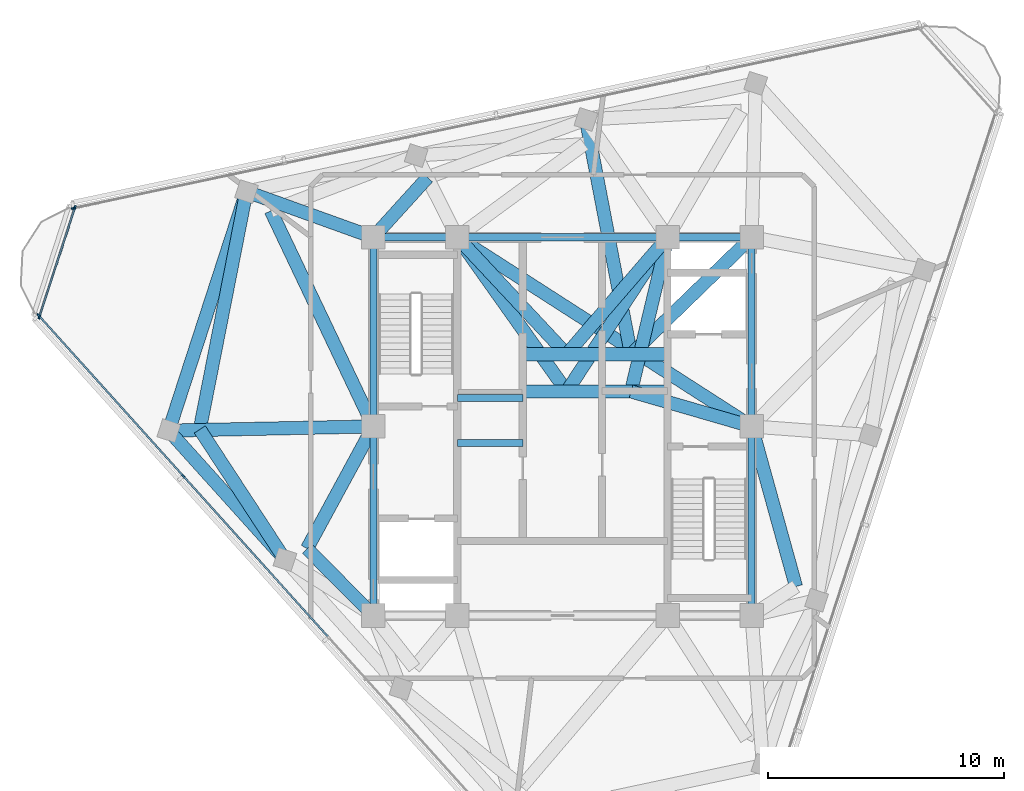
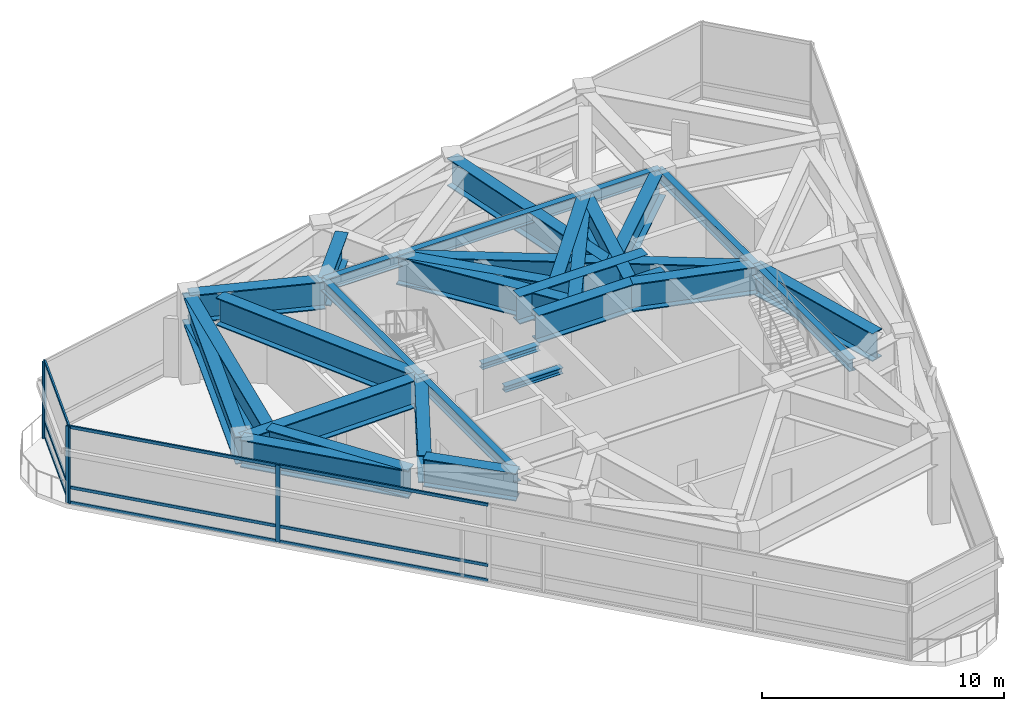
# One storey, part 3 of 10: 31 beams, 14 members, 3 elements without a shape of their own.
"""IFC4 building model written with IfcOpenShell, lengths in metres."""

from ifc_helpers import new_model, si_unit, direction, frame, origin, origin_2d, place, context, subcontext, project, spatial, rectangle, i_section, extrude, material, layer, layer_set, material_profile, profile_set, type_object, element, aggregate, save


model = new_model("IFC4")

# Units and contexts
model_context = context("Model", 3, precision=1e-05, world=origin(), true_north=direction((0.0, 1.0)))
body_context = subcontext(model_context, "Body", "Model", "MODEL_VIEW")
ifc_project = project(units=[si_unit("LENGTHUNIT", "METRE"), si_unit("AREAUNIT", "SQUARE_METRE"), si_unit("VOLUMEUNIT", "CUBIC_METRE"), si_unit("PLANEANGLEUNIT", "RADIAN"), si_unit("MASSUNIT", "GRAM", prefix="KILO")], contexts=[model_context])

# Site, building, storey
site_placement = place(None, origin())
site = spatial("IfcSite", under=ifc_project, at=site_placement, CompositionType="ELEMENT")
building_placement = place(site_placement, origin())
building = spatial("IfcBuilding", under=site, at=building_placement, Name="Terralouvre Media Tower", CompositionType="ELEMENT")
storey_placement = place(building_placement, frame((0.0, 0.0, 317.39990234375)))
storey = spatial("IfcBuildingStorey", under=building, at=storey_placement, Name="L82", CompositionType="ELEMENT", Elevation=317.39990234375)

# Curtain wall, members
ifc_material_1 = material(Name="Low-iron laminated double glazing with solar-control coating", Category="glass")
ifc_layer_1 = layer(ifc_material_1, 0.1650390625, Name="Faceted Glass-Point Crown Curtain Wall CW-06")
ifc_layer_set_1 = layer_set([ifc_layer_1], Name="Low-iron laminated double glazing with solar-control coating")
curtain_wall_type_1 = type_object("IfcCurtainWallType", Name="Faceted Glass-Point Crown Curtain Wall CW-06", PredefinedType="NOTDEFINED", material=ifc_layer_set_1)
curtain_wall_1_placement = place(storey_placement, origin())
curtain_wall_1 = element("IfcCurtainWall", 1, at=curtain_wall_1_placement, inside=storey, type_object=curtain_wall_type_1, Name="L82 Facade Curtain Wall F2", PredefinedType="NOTDEFINED")
ifc_material_2 = material(Name="Anodised extruded aluminium 6063-T6", Category="aluminium")
ifc_material_profile_1 = material_profile(ifc_material_2, rectangle(XDim=0.074951171875, YDim=0.14990234375, at=origin_2d()), Name="ALU 75x150")
ifc_profile_set_1 = profile_set([ifc_material_profile_1], Name="Anodised extruded aluminium 6063-T6")
member_type_1 = type_object("IfcMemberType", Name="Curtain-Wall Horizontal Transom TR-150", PredefinedType="USERDEFINED", material=ifc_profile_set_1)
member_1_placement = place(storey_placement, frame((-22.13037109375, 4.665283203125, 0.03759765625), z_axis=(0.669122483598, -0.743152139163, 0.0), x_axis=(0.743152139163, 0.669122483598, 0.0)))
member_1 = element("IfcMember", 2, at=member_1_placement, type_object=member_type_1, Name="CW-06 transom 1.1", ObjectType="TRANSOM", PredefinedType="USERDEFINED", context=body_context, shape_type="SweptSolid", body=[
    extrude(rectangle(XDim=0.074951171875, YDim=0.14990234375, at=origin_2d()), origin(), (0.0, 0.0, 1.0), 9.0625),
])
member_2_placement = place(storey_placement, frame((-22.13037109375, 4.665283203125, 0.800048828125), z_axis=(0.669122483598, -0.743152139163, 0.0), x_axis=(0.743152139163, 0.669122483598, 0.0)))
member_2 = element("IfcMember", 3, at=member_2_placement, type_object=member_type_1, Name="CW-06 transom 1.2", ObjectType="TRANSOM", PredefinedType="USERDEFINED", context=body_context, shape_type="SweptSolid", body=[
    extrude(rectangle(XDim=0.074951171875, YDim=0.14990234375, at=origin_2d()), origin(), (0.0, 0.0, 1.0), 9.0625),
])
member_3_placement = place(storey_placement, frame((-22.13037109375, 4.665283203125, 3.842529296875), z_axis=(0.669122483598, -0.743152139163, 0.0), x_axis=(0.743152139163, 0.669122483598, 0.0)))
member_3 = element("IfcMember", 4, at=member_3_placement, type_object=member_type_1, Name="CW-06 transom 1.3", ObjectType="TRANSOM", PredefinedType="USERDEFINED", context=body_context, shape_type="SweptSolid", body=[
    extrude(rectangle(XDim=0.074951171875, YDim=0.14990234375, at=origin_2d()), origin(), (0.0, 0.0, 1.0), 9.0625),
])
member_4_placement = place(storey_placement, frame((-16.01611328125, -2.125244140625, 0.03759765625), z_axis=(0.669127761208, -0.743147387253, 0.0), x_axis=(0.743147387253, 0.669127761208, 0.0)))
member_4 = element("IfcMember", 5, at=member_4_placement, type_object=member_type_1, Name="CW-06 transom 2.1", ObjectType="TRANSOM", PredefinedType="USERDEFINED", context=body_context, shape_type="SweptSolid", body=[
    extrude(rectangle(XDim=0.074951171875, YDim=0.14990234375, at=origin_2d()), origin(), (0.0, 0.0, 1.0), 9.10009765625),
])
member_5_placement = place(storey_placement, frame((-16.01611328125, -2.125244140625, 0.800048828125), z_axis=(0.669127761208, -0.743147387253, 0.0), x_axis=(0.743147387253, 0.669127761208, 0.0)))
member_5 = element("IfcMember", 6, at=member_5_placement, type_object=member_type_1, Name="CW-06 transom 2.2", ObjectType="TRANSOM", PredefinedType="USERDEFINED", context=body_context, shape_type="SweptSolid", body=[
    extrude(rectangle(XDim=0.074951171875, YDim=0.14990234375, at=origin_2d()), origin(), (0.0, 0.0, 1.0), 9.10009765625),
])
member_6_placement = place(storey_placement, frame((-16.01611328125, -2.125244140625, 3.842529296875), z_axis=(0.669127761208, -0.743147387253, 0.0), x_axis=(0.743147387253, 0.669127761208, 0.0)))
member_6 = element("IfcMember", 7, at=member_6_placement, type_object=member_type_1, Name="CW-06 transom 2.3", ObjectType="TRANSOM", PredefinedType="USERDEFINED", context=body_context, shape_type="SweptSolid", body=[
    extrude(rectangle(XDim=0.074951171875, YDim=0.14990234375, at=origin_2d()), origin(), (0.0, 0.0, 1.0), 9.10009765625),
])

ifc_material_3 = material(Name="Low-iron laminated double glazing with solar-control coating", Category="glass")
ifc_layer_2 = layer(ifc_material_3, 0.1650390625, Name="Rounded Wind-Corner Curved Glazing CW-04")
ifc_layer_set_2 = layer_set([ifc_layer_2], Name="Low-iron laminated double glazing with solar-control coating")
curtain_wall_type_2 = type_object("IfcCurtainWallType", Name="Rounded Wind-Corner Curved Glazing CW-04", PredefinedType="NOTDEFINED", material=ifc_layer_set_2)
curtain_wall_2_placement = place(storey_placement, origin())
curtain_wall_2 = element("IfcCurtainWall", 8, at=curtain_wall_2_placement, inside=storey, type_object=curtain_wall_type_2, Name="L82 Rounded Wind-Corner Curtain Wall C2", PredefinedType="NOTDEFINED")
member_7_placement = place(storey_placement, frame((-20.63427734375, 9.220703125, 0.03759765625), z_axis=(-0.309011100891, -0.951058431184, 0.0), x_axis=(0.951058431184, -0.309011100891, 0.0)))
member_7 = element("IfcMember", 9, at=member_7_placement, type_object=member_type_1, Name="CW-04 transom 1.1", ObjectType="TRANSOM", PredefinedType="USERDEFINED", context=body_context, shape_type="SweptSolid", body=[
    extrude(rectangle(XDim=0.074951171875, YDim=0.14990234375, at=origin_2d()), origin(), (0.0, 0.0, 1.0), 4.7861328125),
])
member_8_placement = place(storey_placement, frame((-20.63427734375, 9.220703125, 0.800048828125), z_axis=(-0.309011100891, -0.951058431184, 0.0), x_axis=(0.951058431184, -0.309011100891, 0.0)))
member_8 = element("IfcMember", 10, at=member_8_placement, type_object=member_type_1, Name="CW-04 transom 1.2", ObjectType="TRANSOM", PredefinedType="USERDEFINED", context=body_context, shape_type="SweptSolid", body=[
    extrude(rectangle(XDim=0.074951171875, YDim=0.14990234375, at=origin_2d()), origin(), (0.0, 0.0, 1.0), 4.7861328125),
])
member_9_placement = place(storey_placement, frame((-20.63427734375, 9.220703125, 3.842529296875), z_axis=(-0.309011100891, -0.951058431184, 0.0), x_axis=(0.951058431184, -0.309011100891, 0.0)))
member_9 = element("IfcMember", 11, at=member_9_placement, type_object=member_type_1, Name="CW-04 transom 1.3", ObjectType="TRANSOM", PredefinedType="USERDEFINED", context=body_context, shape_type="SweptSolid", body=[
    extrude(rectangle(XDim=0.074951171875, YDim=0.14990234375, at=origin_2d()), origin(), (0.0, 0.0, 1.0), 4.7861328125),
])

# Curtain wall, member
curtain_wall_3_placement = place(storey_placement, origin())
curtain_wall_3 = element("IfcCurtainWall", 12, at=curtain_wall_3_placement, inside=storey, type_object=curtain_wall_type_1, Name="L82 Facade Curtain Wall F1", PredefinedType="NOTDEFINED")
ifc_material_4 = material(Name="Anodised extruded aluminium 6063-T6", Category="aluminium")
ifc_material_profile_2 = material_profile(ifc_material_4, rectangle(XDim=0.074951171875, YDim=0.179931640625, at=origin_2d()), Name="ALU 75x180")
ifc_profile_set_2 = profile_set([ifc_material_profile_2], Name="Anodised extruded aluminium 6063-T6")
member_type_2 = type_object("IfcMemberType", Name="Curtain-Wall Vertical Mullion ML-180", PredefinedType="MULLION", material=ifc_profile_set_2)
member_10_placement = place(storey_placement, frame((-20.6826171875, 9.225830078125, 0.0), z_axis=(0.0, 0.0, 1.0), x_axis=(0.207911754001, -0.978147587304, 0.0)))
member_10 = element("IfcMember", 13, at=member_10_placement, type_object=member_type_2, Name="CW-06 mullion 5", PredefinedType="MULLION", context=body_context, shape_type="SweptSolid", body=[
    extrude(rectangle(XDim=0.074951171875, YDim=0.179931640625, at=origin_2d()), origin(), (0.0, 0.0, 1.0), 3.880126953125),
])
aggregate(curtain_wall_3, [member_10])

# Member
member_11_placement = place(storey_placement, frame((-22.155517578125, 4.693115234375, 0.0), z_axis=(0.0, 0.0, 1.0), x_axis=(0.743144929393, 0.669130490949, 0.0)))
member_11 = element("IfcMember", 14, at=member_11_placement, type_object=member_type_2, Name="CW-06 mullion 1", PredefinedType="MULLION", context=body_context, shape_type="SweptSolid", body=[
    extrude(rectangle(XDim=0.074951171875, YDim=0.179931640625, at=origin_2d()), origin(), (0.0, 0.0, 1.0), 3.880126953125),
])

member_12_placement = place(storey_placement, frame((-16.041259765625, -2.097412109375, 0.0), z_axis=(0.0, 0.0, 1.0), x_axis=(0.743144929393, 0.669130490949, 0.0)))
member_12 = element("IfcMember", 15, at=member_12_placement, type_object=member_type_2, Name="CW-06 mullion 2", PredefinedType="MULLION", context=body_context, shape_type="SweptSolid", body=[
    extrude(rectangle(XDim=0.074951171875, YDim=0.179931640625, at=origin_2d()), origin(), (0.0, 0.0, 1.0), 3.880126953125),
])

aggregate(curtain_wall_1, [member_11, member_12, member_1, member_2, member_3, member_4, member_5, member_6])

member_13_placement = place(storey_placement, frame((-20.622802734375, 9.256591796875, 0.0), z_axis=(0.0, 0.0, 1.0), x_axis=(0.951056128992, -0.30901818637, 0.0)))
member_13 = element("IfcMember", 16, at=member_13_placement, type_object=member_type_2, Name="CW-04 mullion 1", PredefinedType="MULLION", context=body_context, shape_type="SweptSolid", body=[
    extrude(rectangle(XDim=0.074951171875, YDim=0.179931640625, at=origin_2d()), origin(), (0.0, 0.0, 1.0), 3.880126953125),
])

member_14_placement = place(storey_placement, frame((-22.125, 4.633056640625, 0.0), z_axis=(0.0, 0.0, 1.0), x_axis=(0.951056128992, -0.30901818637, 0.0)))
member_14 = element("IfcMember", 17, at=member_14_placement, type_object=member_type_2, Name="CW-04 mullion 2", PredefinedType="MULLION", context=body_context, shape_type="SweptSolid", body=[
    extrude(rectangle(XDim=0.074951171875, YDim=0.179931640625, at=origin_2d()), origin(), (0.0, 0.0, 1.0), 3.880126953125),
])

aggregate(curtain_wall_2, [member_13, member_14, member_7, member_8, member_9])

# Beams
ifc_material_5 = material(Name="Structural steel S355J2", Category="steel")
ifc_material_profile_3 = material_profile(ifc_material_5, i_section(OverallWidth=0.300048828125, OverallDepth=0.300048828125, WebThickness=0.010986328125, FlangeThickness=0.01904296875, at=origin_2d()), Name="HEB 300")
ifc_profile_set_3 = profile_set([ifc_material_profile_3], Name="Structural steel S355J2")
beam_type_1 = type_object("IfcBeamType", Name="Primary Floor Girder B-HEB300 (HEB 300)", PredefinedType="BEAM", material=ifc_profile_set_3)
for number, where, z_axis, x_axis, name in (
    (18, (-4.449951171875, -0.699951171875, 2.85009765625), (1.0, 0.0, 0.0), (0.0, 1.0, 0.0), "L82 Framing Beam BM-L82-CSL01P1"),
    (19, (-4.449951171875, 1.199951171875, 2.85009765625), (1.0, 0.0, 0.0), (0.0, 1.0, 0.0), "L82 Framing Beam BM-L82-CSL01P2"),
):
    element("IfcBeam", number, at=place(storey_placement, frame(where, z_axis=z_axis, x_axis=x_axis)), inside=storey, type_object=beam_type_1, Name=name, PredefinedType="BEAM", context=body_context, shape_type="SweptSolid", body=[
        extrude(i_section(OverallWidth=0.300048828125, OverallDepth=0.300048828125, WebThickness=0.010986328125, FlangeThickness=0.01904296875, at=origin_2d()), origin(), (0.0, 0.0, 1.0), 2.77001953125),
    ])
ifc_material_6 = material(Name="Structural steel S460M", Category="steel")
ifc_material_profile_4 = material_profile(ifc_material_6, i_section(OverallWidth=0.300048828125, OverallDepth=0.60009765625, WebThickness=0.015380859375, FlangeThickness=0.030029296875, at=origin_2d()), Name="HEB 600")
ifc_profile_set_4 = profile_set([ifc_material_profile_4], Name="Structural steel S460M")
beam_type_2 = type_object("IfcBeamType", Name="Primary Floor Girder B-HEB600 (HEB 600)", PredefinedType="BEAM", material=ifc_profile_set_4)
for number, where, z_axis, x_axis, name in (
    (20, (8.0, -8.0, 4.080078125), (0.0, 1.0, 0.0), (-1.0, 0.0, 0.0), "L82 Framing Beam BM-L82-CPR04"),
    (21, (8.0, 0.0, 4.080078125), (0.0, 1.0, 0.0), (-1.0, 0.0, 0.0), "L82 Framing Beam BM-L82-CPR05"),
):
    element("IfcBeam", number, at=place(storey_placement, frame(where, z_axis=z_axis, x_axis=x_axis)), inside=storey, type_object=beam_type_2, Name=name, PredefinedType="BEAM", context=body_context, shape_type="SweptSolid", body=[
        extrude(i_section(OverallWidth=0.300048828125, OverallDepth=0.60009765625, WebThickness=0.015380859375, FlangeThickness=0.030029296875, at=origin_2d()), origin(), (0.0, 0.0, 1.0), 8.0),
    ])
beam_1_placement = place(storey_placement, frame((8.0, 8.0, 4.080078125), z_axis=(-1.0, 0.0, 0.0), x_axis=(0.0, -1.0, 0.0)))
element("IfcBeam", 22, at=beam_1_placement, inside=storey, type_object=beam_type_2, Name="L82 Framing Beam BM-L82-CPR06", PredefinedType="BEAM", context=body_context, shape_type="SweptSolid", body=[
    extrude(i_section(OverallWidth=0.300048828125, OverallDepth=0.60009765625, WebThickness=0.015380859375, FlangeThickness=0.030029296875, at=origin_2d()), origin(), (0.0, 0.0, 1.0), 3.550048828125),
])
beam_2_placement = place(storey_placement, frame((4.449951171875, 8.0, 4.080078125), z_axis=(-1.0, 0.0, 0.0), x_axis=(0.0, -1.0, 0.0)))
element("IfcBeam", 23, at=beam_2_placement, inside=storey, type_object=beam_type_2, Name="L82 Framing Beam BM-L82-CPR07", PredefinedType="BEAM", context=body_context, shape_type="SweptSolid", body=[
    extrude(i_section(OverallWidth=0.300048828125, OverallDepth=0.60009765625, WebThickness=0.015380859375, FlangeThickness=0.030029296875, at=origin_2d()), origin(), (0.0, 0.0, 1.0), 8.89990234375),
])
beam_3_placement = place(storey_placement, frame((-4.449951171875, 8.0, 4.080078125), z_axis=(-1.0, 0.0, 0.0), x_axis=(0.0, -1.0, 0.0)))
element("IfcBeam", 24, at=beam_3_placement, inside=storey, type_object=beam_type_2, Name="L82 Framing Beam BM-L82-CPR08", PredefinedType="BEAM", context=body_context, shape_type="SweptSolid", body=[
    extrude(i_section(OverallWidth=0.300048828125, OverallDepth=0.60009765625, WebThickness=0.015380859375, FlangeThickness=0.030029296875, at=origin_2d()), origin(), (0.0, 0.0, 1.0), 3.550048828125),
])
for number, where, z_axis, x_axis, name in (
    (25, (-8.0, 8.0, 4.080078125), (0.0, -1.0, 0.0), (1.0, 0.0, 0.0), "L82 Framing Beam BM-L82-CPR09"),
    (26, (-8.0, 0.0, 4.080078125), (0.0, -1.0, 0.0), (1.0, 0.0, 0.0), "L82 Framing Beam BM-L82-CPR10"),
):
    element("IfcBeam", number, at=place(storey_placement, frame(where, z_axis=z_axis, x_axis=x_axis)), inside=storey, type_object=beam_type_2, Name=name, PredefinedType="BEAM", context=body_context, shape_type="SweptSolid", body=[
        extrude(i_section(OverallWidth=0.300048828125, OverallDepth=0.60009765625, WebThickness=0.015380859375, FlangeThickness=0.030029296875, at=origin_2d()), origin(), (0.0, 0.0, 1.0), 8.0),
    ])
ifc_material_7 = material(Name="Structural steel S460M", Category="steel")
ifc_material_profile_5 = material_profile(ifc_material_7, i_section(OverallWidth=0.56005859375, OverallDepth=1.39990234375, WebThickness=0.031982421875, FlangeThickness=0.050048828125, at=origin_2d()), Name="TG 1400x560")
ifc_profile_set_5 = profile_set([ifc_material_profile_5], Name="Structural steel S460M")
beam_type_3 = type_object("IfcBeamType", Name="Welded Transfer Girder TG-1400 (TG 1400x560)", PredefinedType="USERDEFINED", material=ifc_profile_set_5)
for number, where, z_axis, x_axis, name in (
    (27, (-1.679931640625, 1.47998046875, 3.68017578125), (1.0, 0.0, 0.0), (0.0, 1.0, 0.0), "L82 Framing Beam BM-L82-ST5BASE1"),
    (28, (-1.679931640625, 3.050048828125, 3.68017578125), (1.0, 0.0, 0.0), (0.0, 1.0, 0.0), "L82 Framing Beam BM-L82-ST5BASE2"),
):
    element("IfcBeam", number, at=place(storey_placement, frame(where, z_axis=z_axis, x_axis=x_axis)), inside=storey, type_object=beam_type_3, Name=name, ObjectType="TRANSFER GIRDER", PredefinedType="USERDEFINED", context=body_context, shape_type="SweptSolid", body=[
        extrude(i_section(OverallWidth=0.56005859375, OverallDepth=1.39990234375, WebThickness=0.031982421875, FlangeThickness=0.050048828125, at=origin_2d()), origin(), (0.0, 0.0, 1.0), 6.1298828125),
    ])
beam_4_placement = place(storey_placement, frame((-16.65234375, -0.178466796875, 3.68017578125), z_axis=(0.669152150091, -0.743125426848, 0.0), x_axis=(0.743125426848, 0.669152150091, 0.0)))
element("IfcBeam", 29, at=beam_4_placement, inside=storey, type_object=beam_type_3, Name="L82 Framing Beam BM-L82-PR01", ObjectType="TRANSFER GIRDER", PredefinedType="USERDEFINED", context=body_context, shape_type="SweptSolid", body=[
    extrude(i_section(OverallWidth=0.56005859375, OverallDepth=1.39990234375, WebThickness=0.031982421875, FlangeThickness=0.050048828125, at=origin_2d()), origin(), (0.0, 0.0, 1.0), 7.340087890625),
])
beam_5_placement = place(storey_placement, frame((-13.3671875, 9.93212890625, 3.68017578125), z_axis=(-0.309019084469, -0.95105583718, 0.0), x_axis=(0.95105583718, -0.309019084469, 0.0)))
element("IfcBeam", 30, at=beam_5_placement, inside=storey, type_object=beam_type_3, Name="L82 Framing Beam BM-L82-PR12", ObjectType="TRANSFER GIRDER", PredefinedType="USERDEFINED", context=body_context, shape_type="SweptSolid", body=[
    extrude(i_section(OverallWidth=0.56005859375, OverallDepth=1.39990234375, WebThickness=0.031982421875, FlangeThickness=0.050048828125, at=origin_2d()), origin(), (0.0, 0.0, 1.0), 10.630859375),
])
beam_6_placement = place(storey_placement, frame((-8.0, 0.0, 3.68017578125), z_axis=(-0.999787343441, -0.020622024494, 0.0), x_axis=(0.020622024494, -0.999787343441, 0.0)))
element("IfcBeam", 31, at=beam_6_placement, inside=storey, type_object=beam_type_3, Name="L82 Framing Beam BM-L82-RD01", ObjectType="TRANSFER GIRDER", PredefinedType="USERDEFINED", context=body_context, shape_type="SweptSolid", body=[
    extrude(i_section(OverallWidth=0.56005859375, OverallDepth=1.39990234375, WebThickness=0.031982421875, FlangeThickness=0.050048828125, at=origin_2d()), origin(), (0.0, 0.0, 1.0), 8.654296875),
])
beam_7_placement = place(storey_placement, frame((-8.0, 8.0, 3.68017578125), z_axis=(-0.940890685394, 0.338710375009, 0.0), x_axis=(-0.338710375009, -0.940890685394, 0.0)))
element("IfcBeam", 32, at=beam_7_placement, inside=storey, type_object=beam_type_3, Name="L82 Framing Beam BM-L82-RD12", ObjectType="TRANSFER GIRDER", PredefinedType="USERDEFINED", context=body_context, shape_type="SweptSolid", body=[
    extrude(i_section(OverallWidth=0.56005859375, OverallDepth=1.39990234375, WebThickness=0.031982421875, FlangeThickness=0.050048828125, at=origin_2d()), origin(), (0.0, 0.0, 1.0), 5.704345703125),
])
beam_8_placement = place(storey_placement, frame((9.87646484375, -6.7734375, 3.68017578125), z_axis=(-0.266977355146, 0.963702802652, 0.0), x_axis=(-0.963702802652, -0.266977355146, 0.0)))
element("IfcBeam", 33, at=beam_8_placement, inside=storey, type_object=beam_type_3, Name="L82 Framing Beam BM-L82-TR02S2", ObjectType="TRANSFER GIRDER", PredefinedType="USERDEFINED", context=body_context, shape_type="SweptSolid", body=[
    extrude(i_section(OverallWidth=0.56005859375, OverallDepth=1.39990234375, WebThickness=0.031982421875, FlangeThickness=0.050048828125, at=origin_2d()), origin(), (0.0, 0.0, 1.0), 7.028564453125),
])
beam_9_placement = place(storey_placement, frame((-5.7041015625, 10.5302734375, 3.68017578125), z_axis=(-0.671975392026, -0.740573475431, 0.0), x_axis=(0.740573475431, -0.671975392026, 0.0)))
element("IfcBeam", 34, at=beam_9_placement, inside=storey, type_object=beam_type_3, Name="L82 Framing Beam BM-L82-TR07S1", ObjectType="TRANSFER GIRDER", PredefinedType="USERDEFINED", context=body_context, shape_type="SweptSolid", body=[
    extrude(i_section(OverallWidth=0.56005859375, OverallDepth=1.39990234375, WebThickness=0.031982421875, FlangeThickness=0.050048828125, at=origin_2d()), origin(), (0.0, 0.0, 1.0), 3.416748046875),
])
beam_10_placement = place(storey_placement, frame((-12.3359375, 9.12060546875, 3.68017578125), z_axis=(0.429351677453, -0.903137385489, 0.0), x_axis=(0.903137385489, 0.429351677453, 0.0)))
element("IfcBeam", 35, at=beam_10_placement, inside=storey, type_object=beam_type_3, Name="L82 Framing Beam BM-L82-TR08S2", ObjectType="TRANSFER GIRDER", PredefinedType="USERDEFINED", context=body_context, shape_type="SweptSolid", body=[
    extrude(i_section(OverallWidth=0.56005859375, OverallDepth=1.39990234375, WebThickness=0.031982421875, FlangeThickness=0.050048828125, at=origin_2d()), origin(), (0.0, 0.0, 1.0), 10.098876953125),
])
beam_11_placement = place(storey_placement, frame((-15.3408203125, -0.1279296875, 3.68017578125), z_axis=(0.547312362457, -0.836928418625, 0.0), x_axis=(0.836928418625, 0.547312362457, 0.0)))
element("IfcBeam", 36, at=beam_11_placement, inside=storey, type_object=beam_type_3, Name="L82 Framing Beam BM-L82-TR09S1", ObjectType="TRANSFER GIRDER", PredefinedType="USERDEFINED", context=body_context, shape_type="SweptSolid", body=[
    extrude(i_section(OverallWidth=0.56005859375, OverallDepth=1.39990234375, WebThickness=0.031982421875, FlangeThickness=0.050048828125, at=origin_2d()), origin(), (0.0, 0.0, 1.0), 6.577880859375),
])
beam_12_placement = place(storey_placement, frame((-15.3408203125, -0.1279296875, 3.68017578125), z_axis=(0.192515183552, 0.981293994735, 0.0), x_axis=(-0.981293994735, 0.192515183552, 0.0)))
element("IfcBeam", 37, at=beam_12_placement, inside=storey, type_object=beam_type_3, Name="L82 Framing Beam BM-L82-TR09S2", ObjectType="TRANSFER GIRDER", PredefinedType="USERDEFINED", context=body_context, shape_type="SweptSolid", body=[
    extrude(i_section(OverallWidth=0.56005859375, OverallDepth=1.39990234375, WebThickness=0.031982421875, FlangeThickness=0.050048828125, at=origin_2d()), origin(), (0.0, 0.0, 1.0), 10.251708984375),
])
beam_13_placement = place(storey_placement, frame((-10.80419921875, -5.16650390625, 3.68017578125), z_axis=(0.703422728837, -0.710771738715, 0.0), x_axis=(0.710771738715, 0.703422728837, 0.0)))
element("IfcBeam", 38, at=beam_13_placement, inside=storey, type_object=beam_type_3, Name="L82 Framing Beam BM-L82-TR10S1", ObjectType="TRANSFER GIRDER", PredefinedType="USERDEFINED", context=body_context, shape_type="SweptSolid", body=[
    extrude(i_section(OverallWidth=0.56005859375, OverallDepth=1.39990234375, WebThickness=0.031982421875, FlangeThickness=0.050048828125, at=origin_2d()), origin(), (0.0, 0.0, 1.0), 3.986572265625),
])
beam_14_placement = place(storey_placement, frame((-10.80419921875, -5.16650390625, 3.68017578125), z_axis=(0.477029538434, 0.878887262088, 0.0), x_axis=(-0.878887262088, 0.477029538434, 0.0)))
element("IfcBeam", 39, at=beam_14_placement, inside=storey, type_object=beam_type_3, Name="L82 Framing Beam BM-L82-TR10S2", ObjectType="TRANSFER GIRDER", PredefinedType="USERDEFINED", context=body_context, shape_type="SweptSolid", body=[
    extrude(i_section(OverallWidth=0.56005859375, OverallDepth=1.39990234375, WebThickness=0.031982421875, FlangeThickness=0.050048828125, at=origin_2d()), origin(), (0.0, 0.0, 1.0), 5.87841796875),
])
beam_15_placement = place(storey_placement, frame((0.179931640625, 1.47998046875, 3.68017578125), z_axis=(0.547872073323, 0.836562126368, 0.0), x_axis=(-0.836562126368, 0.547872073323, 0.0)))
element("IfcBeam", 40, at=beam_15_placement, inside=storey, type_object=beam_type_3, Name="L82 Framing Beam BM-L82-TR13S1", ObjectType="TRANSFER GIRDER", PredefinedType="USERDEFINED", context=body_context, shape_type="SweptSolid", body=[
    extrude(i_section(OverallWidth=0.56005859375, OverallDepth=1.39990234375, WebThickness=0.031982421875, FlangeThickness=0.050048828125, at=origin_2d()), origin(), (0.0, 0.0, 1.0), 7.7939453125),
])
beam_16_placement = place(storey_placement, frame((0.179931640625, 1.47998046875, 3.68017578125), z_axis=(-0.578977534485, 0.81534349483, 0.0), x_axis=(-0.81534349483, -0.578977534485, 0.0)))
element("IfcBeam", 41, at=beam_16_placement, inside=storey, type_object=beam_type_3, Name="L82 Framing Beam BM-L82-TR13S2", ObjectType="TRANSFER GIRDER", PredefinedType="USERDEFINED", context=body_context, shape_type="SweptSolid", body=[
    extrude(i_section(OverallWidth=0.56005859375, OverallDepth=1.39990234375, WebThickness=0.031982421875, FlangeThickness=0.050048828125, at=origin_2d()), origin(), (0.0, 0.0, 1.0), 7.99658203125),
])
beam_17_placement = place(storey_placement, frame((8.0, 0.0, 3.68017578125), z_axis=(-0.841287270023, 0.540588317759, 0.0), x_axis=(-0.540588317759, -0.841287270023, 0.0)))
element("IfcBeam", 42, at=beam_17_placement, inside=storey, type_object=beam_type_3, Name="L82 Framing Beam BM-L82-TRC14", ObjectType="TRANSFER GIRDER", PredefinedType="USERDEFINED", context=body_context, shape_type="SweptSolid", body=[
    extrude(i_section(OverallWidth=0.56005859375, OverallDepth=1.39990234375, WebThickness=0.031982421875, FlangeThickness=0.050048828125, at=origin_2d()), origin(), (0.0, 0.0, 1.0), 14.798583984375),
])
beam_18_placement = place(storey_placement, frame((2.89990234375, 1.47998046875, 3.68017578125), z_axis=(0.96038116241, -0.278689832768, 0.0), x_axis=(0.278689832768, 0.96038116241, 0.0)))
element("IfcBeam", 43, at=beam_18_placement, inside=storey, type_object=beam_type_3, Name="L82 Framing Beam BM-L82-TR14S1", ObjectType="TRANSFER GIRDER", PredefinedType="USERDEFINED", context=body_context, shape_type="SweptSolid", body=[
    extrude(i_section(OverallWidth=0.56005859375, OverallDepth=1.39990234375, WebThickness=0.031982421875, FlangeThickness=0.050048828125, at=origin_2d()), origin(), (0.0, 0.0, 1.0), 5.310546875),
])
beam_19_placement = place(storey_placement, frame((2.89990234375, 1.47998046875, 3.68017578125), z_axis=(0.231290538269, 0.972884724367, 0.0), x_axis=(-0.972884724367, 0.231290538269, 0.0)))
element("IfcBeam", 44, at=beam_19_placement, inside=storey, type_object=beam_type_3, Name="L82 Framing Beam BM-L82-TR14S2", ObjectType="TRANSFER GIRDER", PredefinedType="USERDEFINED", context=body_context, shape_type="SweptSolid", body=[
    extrude(i_section(OverallWidth=0.56005859375, OverallDepth=1.39990234375, WebThickness=0.031982421875, FlangeThickness=0.050048828125, at=origin_2d()), origin(), (0.0, 0.0, 1.0), 6.70166015625),
])
beam_20_placement = place(storey_placement, frame((0.179931640625, 3.050048828125, 3.68017578125), z_axis=(0.653187076616, 0.757196568232, 0.0), x_axis=(-0.757196568232, 0.653187076616, 0.0)))
element("IfcBeam", 45, at=beam_20_placement, inside=storey, type_object=beam_type_3, Name="L82 Framing Beam BM-L82-TR15S1", ObjectType="TRANSFER GIRDER", PredefinedType="USERDEFINED", context=body_context, shape_type="SweptSolid", body=[
    extrude(i_section(OverallWidth=0.56005859375, OverallDepth=1.39990234375, WebThickness=0.031982421875, FlangeThickness=0.050048828125, at=origin_2d()), origin(), (0.0, 0.0, 1.0), 6.537109375),
])
beam_21_placement = place(storey_placement, frame((0.179931640625, 3.050048828125, 3.68017578125), z_axis=(-0.683100736608, 0.7303241634, 0.0), x_axis=(-0.7303241634, -0.683100736608, 0.0)))
element("IfcBeam", 46, at=beam_21_placement, inside=storey, type_object=beam_type_3, Name="L82 Framing Beam BM-L82-TR15S2", ObjectType="TRANSFER GIRDER", PredefinedType="USERDEFINED", context=body_context, shape_type="SweptSolid", body=[
    extrude(i_section(OverallWidth=0.56005859375, OverallDepth=1.39990234375, WebThickness=0.031982421875, FlangeThickness=0.050048828125, at=origin_2d()), origin(), (0.0, 0.0, 1.0), 6.77783203125),
])
beam_22_placement = place(storey_placement, frame((2.89990234375, 3.050048828125, 3.68017578125), z_axis=(0.717590790265, 0.696464972361, 0.0), x_axis=(-0.696464972361, 0.717590790265, 0.0)))
element("IfcBeam", 47, at=beam_22_placement, inside=storey, type_object=beam_type_3, Name="L82 Framing Beam BM-L82-TR16S1", ObjectType="TRANSFER GIRDER", PredefinedType="USERDEFINED", context=body_context, shape_type="SweptSolid", body=[
    extrude(i_section(OverallWidth=0.56005859375, OverallDepth=1.39990234375, WebThickness=0.031982421875, FlangeThickness=0.050048828125, at=origin_2d()), origin(), (0.0, 0.0, 1.0), 7.107177734375),
])
beam_23_placement = place(storey_placement, frame((2.89990234375, 3.050048828125, 3.68017578125), z_axis=(-0.188586899779, 0.98205650613, 0.0), x_axis=(-0.98205650613, -0.188586899779, 0.0)))
element("IfcBeam", 48, at=beam_23_placement, inside=storey, type_object=beam_type_3, Name="L82 Framing Beam BM-L82-TR16S2", ObjectType="TRANSFER GIRDER", PredefinedType="USERDEFINED", context=body_context, shape_type="SweptSolid", body=[
    extrude(i_section(OverallWidth=0.56005859375, OverallDepth=1.39990234375, WebThickness=0.031982421875, FlangeThickness=0.050048828125, at=origin_2d()), origin(), (0.0, 0.0, 1.0), 10.11572265625),
])

save(model, "model.ifc")
